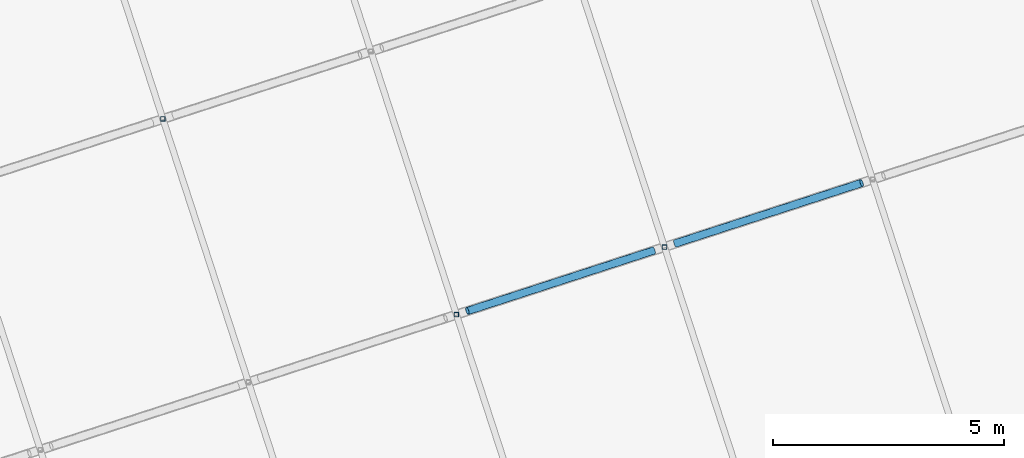
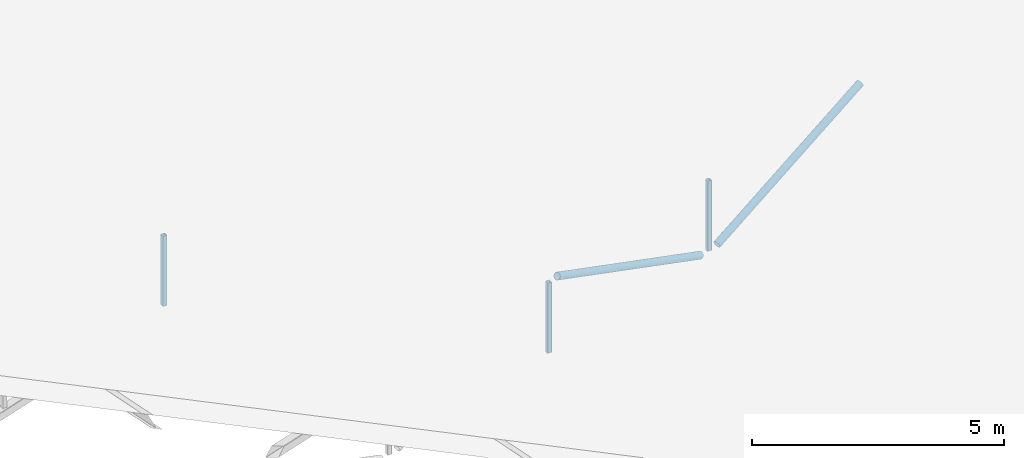
# One storey, part 8 of 55: 5 members.
"""IFC4 building model written with IfcOpenShell, lengths in metres."""

from ifc_helpers import new_model, si_unit, direction, frame, origin, origin_2d, place, context, subcontext, project, spatial, hollow_rectangle, hollow_circle, extrude, material, material_profile, profile_set, type_object, element, save


model = new_model("IFC4")

# Units and contexts
model_context = context("Model", 3, precision=1e-05, world=origin(), true_north=direction((0.0, 1.0)))
body_context = subcontext(model_context, "Body", "Model", "MODEL_VIEW")
ifc_project = project(units=[si_unit("LENGTHUNIT", "METRE"), si_unit("AREAUNIT", "SQUARE_METRE"), si_unit("VOLUMEUNIT", "CUBIC_METRE"), si_unit("PLANEANGLEUNIT", "RADIAN"), si_unit("MASSUNIT", "GRAM", prefix="KILO")], contexts=[model_context])

# Site, building, storey
site_placement = place(None, origin())
site = spatial("IfcSite", under=ifc_project, at=site_placement, CompositionType="ELEMENT")
building_placement = place(site_placement, origin())
building = spatial("IfcBuilding", under=site, at=building_placement, Name="Tuart Plaza Theatre", CompositionType="ELEMENT")
storey_placement = place(building_placement, frame((0.0, 0.0, 21.5)))
storey = spatial("IfcBuildingStorey", under=building, at=storey_placement, Name="L05", CompositionType="ELEMENT", Elevation=21.5)

# Members
ifc_material_1 = material(Name="Steel Grade C350L0", Category="steel")
ifc_material_profile_1 = material_profile(ifc_material_1, hollow_circle(Radius=0.084228515625, WallThickness=0.00634765625, at=origin_2d()), Name="168.3x6.4 CHS")
ifc_profile_set_1 = profile_set([ifc_material_profile_1], Name="Steel Grade C350L0")
member_type_1 = type_object("IfcMemberType", Name="MEMBER Brace 168.3x6.4 CHS", PredefinedType="BRACE", material=ifc_profile_set_1)
for number, where, z_axis, x_axis, name in (
    (1, (59.392333984375, 60.82373046875, 1.591552734375), (0.882822840615, 0.286849316519, -0.371942605385), (-0.309019710385, 0.951055633806, 0.0), "BR16"),
    (2, (63.902099609375, 62.2890625, -0.1083984375), (0.882822840615, 0.286849316519, 0.371942605385), (-0.309019710385, 0.951055633806, 0.0), "BR17"),
):
    element("IfcMember", number, at=place(storey_placement, frame(where, z_axis=z_axis, x_axis=x_axis)), inside=storey, type_object=member_type_1, Name=name, PredefinedType="BRACE", context=body_context, shape_type="SweptSolid", body=[
        extrude(hollow_circle(Radius=0.084228515625, WallThickness=0.00634765625, at=origin_2d()), origin(), (0.0, 0.0, 1.0), 4.570556640625),
    ])
ifc_material_2 = material(Name="Steel Grade C350L0", Category="steel")
ifc_material_profile_2 = material_profile(ifc_material_2, hollow_rectangle(XDim=0.10009765625, YDim=0.10009765625, WallThickness=0.006103515625, InnerFilletRadius=0.006103515625, OuterFilletRadius=0.011962890625, at=origin_2d()), Name="100x100x6 SHS")
ifc_profile_set_2 = profile_set([ifc_material_profile_2], Name="Steel Grade C350L0")
member_type_2 = type_object("IfcMemberType", Name="MEMBER Post 100x100x6 SHS", PredefinedType="POST", material=ifc_profile_set_2)
for number, where, z_axis, x_axis, name in (
    (3, (59.155029296875, 60.74658203125, -0.1083984375), (0.0, 0.0, 1.0), (1.0, 0.0, 0.0), "PO18"),
    (4, (63.66455078125, 62.2119140625, -0.1083984375), (0.0, 0.0, 1.0), (1.0, 0.0, 0.0), "PO19"),
    (5, (52.791259765625, 64.98779296875, 0.683837890625), (0.0, 0.0, 1.0), (1.0, 0.0, 0.0), "PO24"),
):
    element("IfcMember", number, at=place(storey_placement, frame(where, z_axis=z_axis, x_axis=x_axis)), inside=storey, type_object=member_type_2, Name=name, PredefinedType="POST", context=body_context, shape_type="SweptSolid", body=[
        extrude(hollow_rectangle(XDim=0.10009765625, YDim=0.10009765625, WallThickness=0.006103515625, InnerFilletRadius=0.006103515625, OuterFilletRadius=0.011962890625, at=origin_2d()), origin(), (0.0, 0.0, 1.0), 1.699951171875),
    ])

save(model, "model.ifc")
